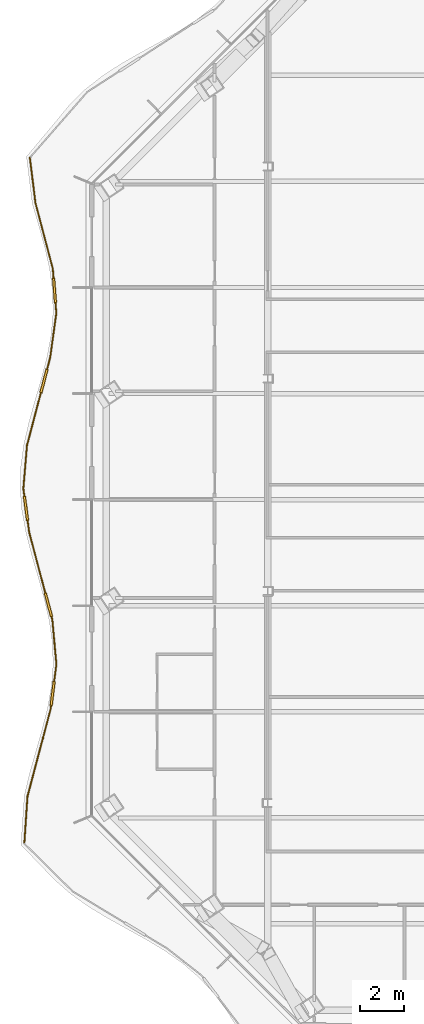
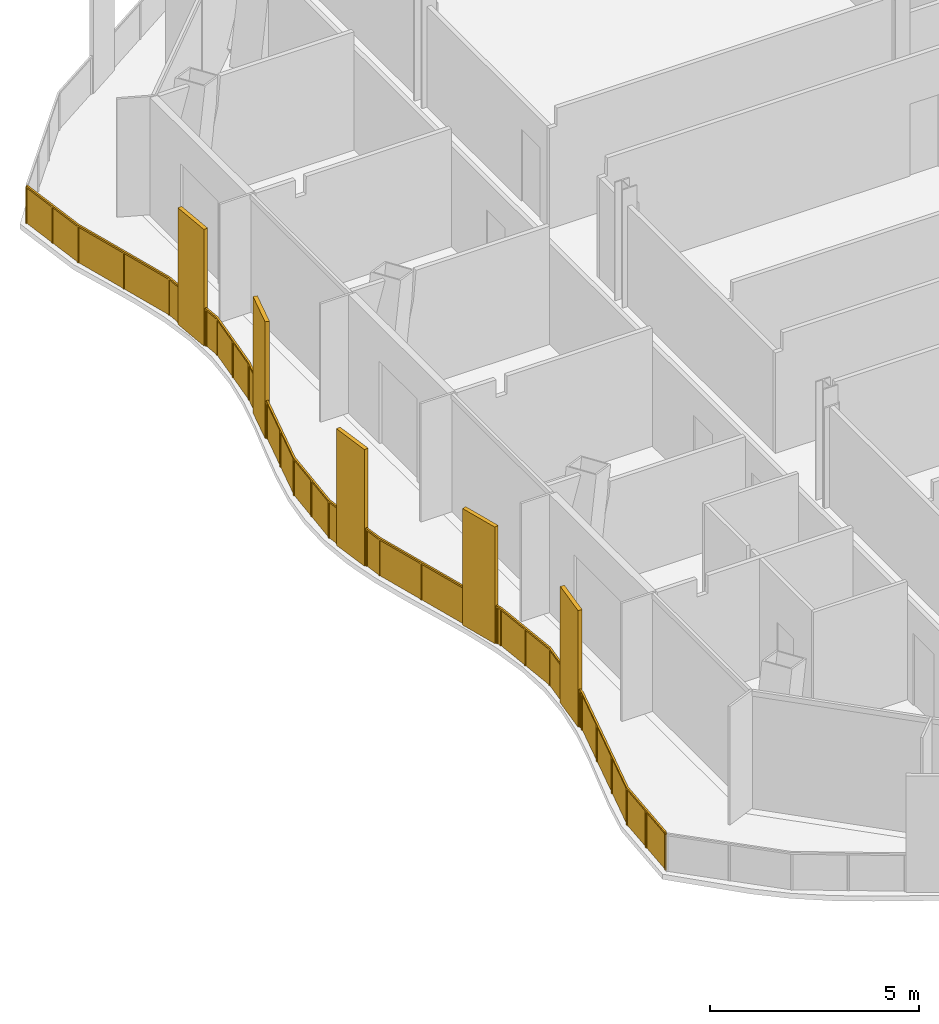
# One storey, part 15 of 21: 1 railing.
"""IFC4 building model written with IfcOpenShell, lengths in metres."""

from ifc_helpers import new_model, si_unit, direction, frame, origin, origin_2d, place, context, subcontext, project, spatial, polyline, rectangle, outline, extrude, material, type_object, element, save


model = new_model("IFC4")

# Units and contexts
model_context = context("Model", 3, precision=1e-05, world=origin(), true_north=direction((0.0, 1.0)))
body_context = subcontext(model_context, "Body", "Model", "MODEL_VIEW")
ifc_project = project(units=[si_unit("LENGTHUNIT", "METRE"), si_unit("AREAUNIT", "SQUARE_METRE"), si_unit("VOLUMEUNIT", "CUBIC_METRE"), si_unit("PLANEANGLEUNIT", "RADIAN"), si_unit("MASSUNIT", "GRAM", prefix="KILO")], contexts=[model_context])

# Site, building, storey
site_placement = place(None, origin())
site = spatial("IfcSite", under=ifc_project, at=site_placement, CompositionType="ELEMENT")
building_placement = place(site_placement, origin())
building = spatial("IfcBuilding", under=site, at=building_placement, Name="Cairn Pilgrim Tower", CompositionType="ELEMENT")
storey_placement = place(building_placement, frame((0.0, 0.0, 108.60009765625)))
storey = spatial("IfcBuildingStorey", under=building, at=storey_placement, Name="L26", CompositionType="ELEMENT", Elevation=108.60009765625)

# Railing
ifc_material = material(Name="Bronze anodised aluminium rail, posts and fin screens with laminated glass infill", Category="aluminium")
railing_type = type_object("IfcRailingType", Name="BALCONY GUARD WITH FIN SCREENS", PredefinedType="GUARDRAIL", material=ifc_material)
railing_placement = place(storey_placement, frame((-25.158935546875, 19.60107421875, 0.0)))
element("IfcRailing", 1, at=railing_placement, inside=storey, type_object=railing_type, Name="Balcony guard BGF-7 with fin screens", PredefinedType="GUARDRAIL", context=body_context, shape_type="SweptSolid", body=[
    extrude(rectangle(XDim=0.050048828125, YDim=0.050048828125, at=origin_2d()), frame((0.0, 0.0, 1.0751953125), z_axis=(0.122220065901, -0.992503025432, 0.0), x_axis=(0.992503025432, 0.122220065901, 0.0)), (0.0, 0.0, 1.0), 2.053466796875),
    extrude(rectangle(XDim=0.050048828125, YDim=0.050048828125, at=origin_2d()), frame((0.2509765625, -2.0380859375, 1.0751953125), z_axis=(0.255252920373, -0.966874317914, 0.0), x_axis=(0.966874317914, 0.255252920373, 0.0)), (0.0, 0.0, 1.0), 3.084716796875),
    extrude(rectangle(XDim=1.10009765625, YDim=0.110107421875, at=origin_2d()), frame((1.11572265625, -6.005615234375, 0.0), z_axis=(0.0, 0.0, 1.0), x_axis=(0.078238304034, -0.996934685815, 0.0)), (0.0, 0.0, 1.0), 3.39990234375),
    extrude(rectangle(XDim=0.050048828125, YDim=0.050048828125, at=origin_2d()), frame((1.038330078125, -5.0205078125, 1.0751953125), z_axis=(0.078238304034, -0.996934685815, 0.0), x_axis=(0.996934685815, 0.078238304034, 0.0)), (0.0, 0.0, 1.0), 0.43798828125),
    extrude(rectangle(XDim=0.050048828125, YDim=0.050048828125, at=origin_2d()), frame((1.15869140625, -6.5537109375, 1.0751953125), z_axis=(0.078238304034, -0.996934685815, 0.0), x_axis=(0.996934685815, 0.078238304034, 0.0)), (0.0, 0.0, 1.0), 0.484130859375),
    extrude(rectangle(XDim=0.050048828125, YDim=0.050048828125, at=origin_2d()), frame((1.196533203125, -7.036376953125, 1.0751953125), z_axis=(-0.137076824228, -0.990560419288, 0.0), x_axis=(0.990560419288, -0.137076824228, 0.0)), (0.0, 0.0, 1.0), 2.030517578125),
    extrude(rectangle(XDim=1.10009765625, YDim=0.110107421875, at=origin_2d()), frame((0.6396484375, -10.1025390625, 0.0), z_axis=(0.0, 0.0, 1.0), x_axis=(-0.255403711426, -0.966834496793, 0.0)), (0.0, 0.0, 1.0), 3.39990234375),
    extrude(rectangle(XDim=0.050048828125, YDim=0.050048828125, at=origin_2d()), frame((0.918212890625, -9.047607421875, 1.0751953125), z_axis=(-0.255403711426, -0.966834496793, 0.0), x_axis=(0.966834496793, -0.255403711426, 0.0)), (0.0, 0.0, 1.0), 0.541015625),
    extrude(rectangle(XDim=0.050048828125, YDim=0.050048828125, at=origin_2d()), frame((0.4990234375, -10.63427734375, 1.0751953125), z_axis=(-0.255403711426, -0.966834496793, 0.0), x_axis=(0.966834496793, -0.255403711426, 0.0)), (0.0, 0.0, 1.0), 2.463623046875),
    extrude(rectangle(XDim=0.050048828125, YDim=0.050048828125, at=origin_2d()), frame((-0.130126953125, -13.01611328125, 1.0751953125), z_axis=(-0.084156484151, -0.99645255089, 0.0), x_axis=(0.99645255089, -0.084156484151, 0.0)), (0.0, 0.0, 1.0), 1.964111328125),
    extrude(rectangle(XDim=1.10009765625, YDim=0.110107421875, at=origin_2d()), frame((-0.17626953125, -15.869140625, 0.0), z_axis=(0.0, 0.0, 1.0), x_axis=(0.131702853889, -0.991289240473, 0.0)), (0.0, 0.0, 1.0), 3.39990234375),
    extrude(rectangle(XDim=0.050048828125, YDim=0.050048828125, at=origin_2d()), frame((-0.29541015625, -14.97314453125, 1.0751953125), z_axis=(0.131702853889, -0.991289240473, 0.0), x_axis=(0.991289240473, 0.131702853889, 0.0)), (0.0, 0.0, 1.0), 0.353759765625),
    extrude(rectangle(XDim=0.050048828125, YDim=0.050048828125, at=origin_2d()), frame((-0.10400390625, -16.414306640625, 1.0751953125), z_axis=(0.131702853889, -0.991289240473, 0.0), x_axis=(0.991289240473, 0.131702853889, 0.0)), (0.0, 0.0, 1.0), 0.524169921875),
    extrude(rectangle(XDim=1.10009765625, YDim=0.110107421875, at=origin_2d()), frame((0.83837890625, -20.232666015625, 0.0), z_axis=(0.0, 0.0, 1.0), x_axis=(0.255936618315, -0.966693564376, 0.0)), (0.0, 0.0, 1.0), 3.39990234375),
    extrude(rectangle(XDim=0.050048828125, YDim=0.050048828125, at=origin_2d()), frame((-0.034912109375, -16.933837890625, 1.0751953125), z_axis=(0.255936618315, -0.966693564376, 0.0), x_axis=(0.966693564376, 0.255936618315, 0.0)), (0.0, 0.0, 1.0), 2.8623046875),
    extrude(rectangle(XDim=0.050048828125, YDim=0.050048828125, at=origin_2d()), frame((0.979248046875, -20.76416015625, 1.0751953125), z_axis=(0.255936618315, -0.966693564376, 0.0), x_axis=(0.966693564376, 0.255936618315, 0.0)), (0.0, 0.0, 1.0), 0.14990234375),
    extrude(rectangle(XDim=0.050048828125, YDim=0.050048828125, at=origin_2d()), frame((1.017578125, -20.9091796875, 1.0751953125), z_axis=(0.090013526175, -0.995940542957, 0.0), x_axis=(0.995940542957, 0.090013526175, 0.0)), (0.0, 0.0, 1.0), 2.0234375),
    extrude(rectangle(XDim=1.10009765625, YDim=0.110107421875, at=origin_2d()), frame((1.03173828125, -24.2421875, 0.0), z_axis=(0.0, 0.0, 1.0), x_axis=(-0.126493302822, -0.991967461332, 0.0)), (0.0, 0.0, 1.0), 3.39990234375),
    extrude(rectangle(XDim=0.050048828125, YDim=0.050048828125, at=origin_2d()), frame((1.19970703125, -22.92431640625, 1.0751953125), z_axis=(-0.126493302822, -0.991967461332, 0.0), x_axis=(0.991967461332, -0.126493302822, 0.0)), (0.0, 0.0, 1.0), 0.778564453125),
    extrude(rectangle(XDim=0.050048828125, YDim=0.050048828125, at=origin_2d()), frame((0.962158203125, -24.787841796875, 1.0751953125), z_axis=(-0.126493302822, -0.991967461332, 0.0), x_axis=(0.991967461332, -0.126493302822, 0.0)), (0.0, 0.0, 1.0), 0.14990234375),
    extrude(rectangle(XDim=0.050048828125, YDim=0.050048828125, at=origin_2d()), frame((0.943115234375, -24.9365234375, 1.0751953125), z_axis=(-0.25619658001, -0.966624700901, 0.0), x_axis=(0.966624700901, -0.25619658001, 0.0)), (0.0, 0.0, 1.0), 4.105224609375),
    extrude(rectangle(XDim=0.050048828125, YDim=0.050048828125, at=origin_2d()), frame((-0.108642578125, -28.90478515625, 1.0751953125), z_axis=(-0.066924228593, -0.997758060668, 0.0), x_axis=(0.997758060668, -0.066924228593, 0.0)), (0.0, 0.0, 1.0), 2.079345703125),
    extrude(rectangle(XDim=0.050048828125, YDim=0.050048828125, at=origin_2d()), origin(), (0.0, 0.0, 1.0), 1.050048828125),
    extrude(rectangle(XDim=0.050048828125, YDim=0.050048828125, at=origin_2d()), frame((0.12548828125, -1.01904296875, 0.0)), (0.0, 0.0, 1.0), 1.050048828125),
    extrude(rectangle(XDim=0.050048828125, YDim=0.050048828125, at=origin_2d()), frame((0.2509765625, -2.0380859375, 0.0)), (0.0, 0.0, 1.0), 1.050048828125),
    extrude(rectangle(XDim=0.050048828125, YDim=0.050048828125, at=origin_2d()), frame((0.64453125, -3.529296875, 0.0)), (0.0, 0.0, 1.0), 1.050048828125),
    extrude(rectangle(XDim=0.050048828125, YDim=0.050048828125, at=origin_2d()), frame((1.038330078125, -5.0205078125, 0.0)), (0.0, 0.0, 1.0), 1.050048828125),
    extrude(rectangle(XDim=0.050048828125, YDim=0.050048828125, at=origin_2d()), frame((1.070556640625, -5.43212890625, 0.0)), (0.0, 0.0, 1.0), 1.050048828125),
    extrude(rectangle(XDim=0.050048828125, YDim=0.050048828125, at=origin_2d()), frame((1.16064453125, -6.578857421875, 0.0)), (0.0, 0.0, 1.0), 1.050048828125),
    extrude(rectangle(XDim=0.050048828125, YDim=0.050048828125, at=origin_2d()), frame((1.196533203125, -7.036376953125, 0.0)), (0.0, 0.0, 1.0), 1.050048828125),
    extrude(rectangle(XDim=0.050048828125, YDim=0.050048828125, at=origin_2d()), frame((1.057373046875, -8.0419921875, 0.0)), (0.0, 0.0, 1.0), 1.050048828125),
    extrude(rectangle(XDim=0.050048828125, YDim=0.050048828125, at=origin_2d()), frame((0.918212890625, -9.047607421875, 0.0)), (0.0, 0.0, 1.0), 1.050048828125),
    extrude(rectangle(XDim=0.050048828125, YDim=0.050048828125, at=origin_2d()), frame((0.786376953125, -9.546630859375, 0.0)), (0.0, 0.0, 1.0), 1.050048828125),
    extrude(rectangle(XDim=0.050048828125, YDim=0.050048828125, at=origin_2d()), frame((0.49267578125, -10.658447265625, 0.0)), (0.0, 0.0, 1.0), 1.050048828125),
    extrude(rectangle(XDim=0.050048828125, YDim=0.050048828125, at=origin_2d()), frame((0.181396484375, -11.837158203125, 0.0)), (0.0, 0.0, 1.0), 1.050048828125),
    extrude(rectangle(XDim=0.050048828125, YDim=0.050048828125, at=origin_2d()), frame((-0.130126953125, -13.01611328125, 0.0)), (0.0, 0.0, 1.0), 1.050048828125),
    extrude(rectangle(XDim=0.050048828125, YDim=0.050048828125, at=origin_2d()), frame((-0.212890625, -13.99462890625, 0.0)), (0.0, 0.0, 1.0), 1.050048828125),
    extrude(rectangle(XDim=0.050048828125, YDim=0.050048828125, at=origin_2d()), frame((-0.29541015625, -14.97314453125, 0.0)), (0.0, 0.0, 1.0), 1.050048828125),
    extrude(rectangle(XDim=0.050048828125, YDim=0.050048828125, at=origin_2d()), frame((-0.252197265625, -15.299072265625, 0.0)), (0.0, 0.0, 1.0), 1.050048828125),
    extrude(rectangle(XDim=0.050048828125, YDim=0.050048828125, at=origin_2d()), frame((-0.1005859375, -16.439208984375, 0.0)), (0.0, 0.0, 1.0), 1.050048828125),
    extrude(rectangle(XDim=0.050048828125, YDim=0.050048828125, at=origin_2d()), frame((-0.034912109375, -16.933837890625, 0.0)), (0.0, 0.0, 1.0), 1.050048828125),
    extrude(rectangle(XDim=0.050048828125, YDim=0.050048828125, at=origin_2d()), frame((0.328125, -18.30517578125, 0.0)), (0.0, 0.0, 1.0), 1.050048828125),
    extrude(rectangle(XDim=0.050048828125, YDim=0.050048828125, at=origin_2d()), frame((0.691162109375, -19.6767578125, 0.0)), (0.0, 0.0, 1.0), 1.050048828125),
    extrude(rectangle(XDim=0.050048828125, YDim=0.050048828125, at=origin_2d()), frame((0.985595703125, -20.788330078125, 0.0)), (0.0, 0.0, 1.0), 1.050048828125),
    extrude(rectangle(XDim=0.050048828125, YDim=0.050048828125, at=origin_2d()), frame((1.017578125, -20.9091796875, 0.0)), (0.0, 0.0, 1.0), 1.050048828125),
    extrude(rectangle(XDim=0.050048828125, YDim=0.050048828125, at=origin_2d()), frame((1.108642578125, -21.916748046875, 0.0)), (0.0, 0.0, 1.0), 1.050048828125),
    extrude(rectangle(XDim=0.050048828125, YDim=0.050048828125, at=origin_2d()), frame((1.19970703125, -22.92431640625, 0.0)), (0.0, 0.0, 1.0), 1.050048828125),
    extrude(rectangle(XDim=0.050048828125, YDim=0.050048828125, at=origin_2d()), frame((1.1044921875, -23.671875, 0.0)), (0.0, 0.0, 1.0), 1.050048828125),
    extrude(rectangle(XDim=0.050048828125, YDim=0.050048828125, at=origin_2d()), frame((0.958984375, -24.8125, 0.0)), (0.0, 0.0, 1.0), 1.050048828125),
    extrude(rectangle(XDim=0.050048828125, YDim=0.050048828125, at=origin_2d()), frame((0.943115234375, -24.9365234375, 0.0)), (0.0, 0.0, 1.0), 1.050048828125),
    extrude(rectangle(XDim=0.050048828125, YDim=0.050048828125, at=origin_2d()), frame((0.592529296875, -26.25927734375, 0.0)), (0.0, 0.0, 1.0), 1.050048828125),
    extrude(rectangle(XDim=0.050048828125, YDim=0.050048828125, at=origin_2d()), frame((0.241943359375, -27.58203125, 0.0)), (0.0, 0.0, 1.0), 1.050048828125),
    extrude(rectangle(XDim=0.050048828125, YDim=0.050048828125, at=origin_2d()), frame((-0.108642578125, -28.90478515625, 0.0)), (0.0, 0.0, 1.0), 1.050048828125),
    extrude(rectangle(XDim=0.050048828125, YDim=0.050048828125, at=origin_2d()), frame((-0.17822265625, -29.942138671875, 0.0)), (0.0, 0.0, 1.0), 1.050048828125),
    extrude(rectangle(XDim=0.050048828125, YDim=0.050048828125, at=origin_2d()), frame((-0.247802734375, -30.9794921875, 0.0)), (0.0, 0.0, 1.0), 1.050048828125),
    extrude(outline(polyline([(0.02490234375, 0.0), (1.001708984375, 0.0), (1.001708984375, 1.050048828125), (0.02490234375, 1.050048828125), (0.02490234375, 0.0)])), frame((0.005859375, 0.000732421875, 0.0), z_axis=(-0.992503025432, -0.122220065901, 0.0), x_axis=(0.122220065901, -0.992503025432, 0.0)), (0.0, 0.0, 1.0), 0.011962890625),
    extrude(outline(polyline([(0.02490234375, 0.0), (1.001708984375, 0.0), (1.001708984375, 1.050048828125), (0.02490234375, 1.050048828125), (0.02490234375, 0.0)])), frame((0.13134765625, -1.018310546875, 0.0), z_axis=(-0.992503025432, -0.122220065901, 0.0), x_axis=(0.122220065901, -0.992503025432, 0.0)), (0.0, 0.0, 1.0), 0.011962890625),
    extrude(outline(polyline([(0.02490234375, 0.0), (1.517333984375, 0.0), (1.517333984375, 1.050048828125), (0.02490234375, 1.050048828125), (0.02490234375, 0.0)])), frame((0.2568359375, -2.03662109375, 0.0), z_axis=(-0.966874317914, -0.255252920373, 0.0), x_axis=(0.255252920373, -0.966874317914, 0.0)), (0.0, 0.0, 1.0), 0.011962890625),
    extrude(outline(polyline([(0.02490234375, 0.0), (1.517333984375, 0.0), (1.517333984375, 1.050048828125), (0.02490234375, 1.050048828125), (0.02490234375, 0.0)])), frame((0.650390625, -3.52783203125, 0.0), z_axis=(-0.966874317914, -0.255252920373, 0.0), x_axis=(0.255252920373, -0.966874317914, 0.0)), (0.0, 0.0, 1.0), 0.011962890625),
    extrude(outline(polyline([(0.02490234375, 0.0), (0.387939453125, 0.0), (0.387939453125, 1.050048828125), (0.02490234375, 1.050048828125), (0.02490234375, 0.0)])), frame((1.044189453125, -5.02001953125, 0.0), z_axis=(-0.996934685815, -0.078238304034, 0.0), x_axis=(0.078238304034, -0.996934685815, 0.0)), (0.0, 0.0, 1.0), 0.011962890625),
    extrude(outline(polyline([(0.02490234375, 0.0), (0.43408203125, 0.0), (0.43408203125, 1.050048828125), (0.02490234375, 1.050048828125), (0.02490234375, 0.0)])), frame((1.16650390625, -6.578369140625, 0.0), z_axis=(-0.996934685815, -0.078238304034, 0.0), x_axis=(0.078238304034, -0.996934685815, 0.0)), (0.0, 0.0, 1.0), 0.011962890625),
    extrude(outline(polyline([(0.02490234375, 0.0), (0.990234375, 0.0), (0.990234375, 1.050048828125), (0.02490234375, 1.050048828125), (0.02490234375, 0.0)])), frame((1.202392578125, -7.037109375, 0.0), z_axis=(-0.990560419288, 0.137076824228, 0.0), x_axis=(-0.137076824228, -0.990560419288, 0.0)), (0.0, 0.0, 1.0), 0.011962890625),
    extrude(outline(polyline([(0.02490234375, 0.0), (0.990234375, 0.0), (0.990234375, 1.050048828125), (0.02490234375, 1.050048828125), (0.02490234375, 0.0)])), frame((1.063232421875, -8.042724609375, 0.0), z_axis=(-0.990560419288, 0.137076824228, 0.0), x_axis=(-0.137076824228, -0.990560419288, 0.0)), (0.0, 0.0, 1.0), 0.011962890625),
    extrude(outline(polyline([(0.02490234375, 0.0), (0.490966796875, 0.0), (0.490966796875, 1.050048828125), (0.02490234375, 1.050048828125), (0.02490234375, 0.0)])), frame((0.924072265625, -9.049072265625, 0.0), z_axis=(-0.966834496793, 0.255403711426, 0.0), x_axis=(-0.255403711426, -0.966834496793, 0.0)), (0.0, 0.0, 1.0), 0.011962890625),
    extrude(outline(polyline([(0.02490234375, 0.0), (1.1943359375, 0.0), (1.1943359375, 1.050048828125), (0.02490234375, 1.050048828125), (0.02490234375, 0.0)])), frame((0.49853515625, -10.659912109375, 0.0), z_axis=(-0.966834496793, 0.255403711426, 0.0), x_axis=(-0.255403711426, -0.966834496793, 0.0)), (0.0, 0.0, 1.0), 0.011962890625),
    extrude(outline(polyline([(0.02490234375, 0.0), (1.1943359375, 0.0), (1.1943359375, 1.050048828125), (0.02490234375, 1.050048828125), (0.02490234375, 0.0)])), frame((0.18701171875, -11.8388671875, 0.0), z_axis=(-0.966834496793, 0.255403711426, 0.0), x_axis=(-0.255403711426, -0.966834496793, 0.0)), (0.0, 0.0, 1.0), 0.011962890625),
    extrude(outline(polyline([(0.02490234375, 0.0), (0.95703125, 0.0), (0.95703125, 1.050048828125), (0.02490234375, 1.050048828125), (0.02490234375, 0.0)])), frame((-0.124267578125, -13.0166015625, 0.0), z_axis=(-0.99645255089, 0.084156484151, 0.0), x_axis=(-0.084156484151, -0.99645255089, 0.0)), (0.0, 0.0, 1.0), 0.011962890625),
    extrude(outline(polyline([(0.02490234375, 0.0), (0.95703125, 0.0), (0.95703125, 1.050048828125), (0.02490234375, 1.050048828125), (0.02490234375, 0.0)])), frame((-0.206787109375, -13.9951171875, 0.0), z_axis=(-0.99645255089, 0.084156484151, 0.0), x_axis=(-0.084156484151, -0.99645255089, 0.0)), (0.0, 0.0, 1.0), 0.011962890625),
    extrude(outline(polyline([(0.02490234375, 0.0), (0.3037109375, 0.0), (0.3037109375, 1.050048828125), (0.02490234375, 1.050048828125), (0.02490234375, 0.0)])), frame((-0.28955078125, -14.972412109375, 0.0), z_axis=(-0.991289240473, -0.131702853889, 0.0), x_axis=(0.131702853889, -0.991289240473, 0.0)), (0.0, 0.0, 1.0), 0.011962890625),
    extrude(outline(polyline([(0.02490234375, 0.0), (0.47412109375, 0.0), (0.47412109375, 1.050048828125), (0.02490234375, 1.050048828125), (0.02490234375, 0.0)])), frame((-0.0947265625, -16.438232421875, 0.0), z_axis=(-0.991289240473, -0.131702853889, 0.0), x_axis=(0.131702853889, -0.991289240473, 0.0)), (0.0, 0.0, 1.0), 0.011962890625),
    extrude(outline(polyline([(0.02490234375, 0.0), (1.3935546875, 0.0), (1.3935546875, 1.050048828125), (0.02490234375, 1.050048828125), (0.02490234375, 0.0)])), frame((-0.029052734375, -16.932373046875, 0.0), z_axis=(-0.966693564376, -0.255936618315, 0.0), x_axis=(0.255936618315, -0.966693564376, 0.0)), (0.0, 0.0, 1.0), 0.011962890625),
    extrude(outline(polyline([(0.02490234375, 0.0), (1.3935546875, 0.0), (1.3935546875, 1.050048828125), (0.02490234375, 1.050048828125), (0.02490234375, 0.0)])), frame((0.333984375, -18.3037109375, 0.0), z_axis=(-0.966693564376, -0.255936618315, 0.0), x_axis=(0.255936618315, -0.966693564376, 0.0)), (0.0, 0.0, 1.0), 0.011962890625),
    extrude(outline(polyline([(0.02490234375, 0.0), (0.099853515625, 0.0), (0.099853515625, 1.050048828125), (0.02490234375, 1.050048828125), (0.02490234375, 0.0)])), frame((0.991455078125, -20.786865234375, 0.0), z_axis=(-0.966693564376, -0.255936618315, 0.0), x_axis=(0.255936618315, -0.966693564376, 0.0)), (0.0, 0.0, 1.0), 0.011962890625),
    extrude(outline(polyline([(0.02490234375, 0.0), (0.986572265625, 0.0), (0.986572265625, 1.050048828125), (0.02490234375, 1.050048828125), (0.02490234375, 0.0)])), frame((1.0234375, -20.90869140625, 0.0), z_axis=(-0.995940542957, -0.090013526175, 0.0), x_axis=(0.090013526175, -0.995940542957, 0.0)), (0.0, 0.0, 1.0), 0.011962890625),
    extrude(outline(polyline([(0.02490234375, 0.0), (0.986572265625, 0.0), (0.986572265625, 1.050048828125), (0.02490234375, 1.050048828125), (0.02490234375, 0.0)])), frame((1.114501953125, -21.916259765625, 0.0), z_axis=(-0.995940542957, -0.090013526175, 0.0), x_axis=(0.090013526175, -0.995940542957, 0.0)), (0.0, 0.0, 1.0), 0.011962890625),
    extrude(outline(polyline([(0.02490234375, 0.0), (0.728515625, 0.0), (0.728515625, 1.050048828125), (0.02490234375, 1.050048828125), (0.02490234375, 0.0)])), frame((1.20556640625, -22.925048828125, 0.0), z_axis=(-0.991967461332, 0.126493302822, 0.0), x_axis=(-0.126493302822, -0.991967461332, 0.0)), (0.0, 0.0, 1.0), 0.011962890625),
    extrude(outline(polyline([(0.02490234375, 0.0), (0.099853515625, 0.0), (0.099853515625, 1.050048828125), (0.02490234375, 1.050048828125), (0.02490234375, 0.0)])), frame((0.96484375, -24.813232421875, 0.0), z_axis=(-0.991967461332, 0.126493302822, 0.0), x_axis=(-0.126493302822, -0.991967461332, 0.0)), (0.0, 0.0, 1.0), 0.011962890625),
    extrude(outline(polyline([(0.02490234375, 0.0), (1.343505859375, 0.0), (1.343505859375, 1.050048828125), (0.02490234375, 1.050048828125), (0.02490234375, 0.0)])), frame((0.948974609375, -24.93798828125, 0.0), z_axis=(-0.966624700901, 0.25619658001, 0.0), x_axis=(-0.25619658001, -0.966624700901, 0.0)), (0.0, 0.0, 1.0), 0.011962890625),
    extrude(outline(polyline([(0.02490234375, 0.0), (1.343505859375, 0.0), (1.343505859375, 1.050048828125), (0.02490234375, 1.050048828125), (0.02490234375, 0.0)])), frame((0.598388671875, -26.2607421875, 0.0), z_axis=(-0.966624700901, 0.25619658001, 0.0), x_axis=(-0.25619658001, -0.966624700901, 0.0)), (0.0, 0.0, 1.0), 0.011962890625),
    extrude(outline(polyline([(0.02490234375, 0.0), (1.343505859375, 0.0), (1.343505859375, 1.050048828125), (0.02490234375, 1.050048828125), (0.02490234375, 0.0)])), frame((0.247802734375, -27.58349609375, 0.0), z_axis=(-0.966624700901, 0.25619658001, 0.0), x_axis=(-0.25619658001, -0.966624700901, 0.0)), (0.0, 0.0, 1.0), 0.011962890625),
    extrude(outline(polyline([(0.02490234375, 0.0), (1.0146484375, 0.0), (1.0146484375, 1.050048828125), (0.02490234375, 1.050048828125), (0.02490234375, 0.0)])), frame((-0.102783203125, -28.9052734375, 0.0), z_axis=(-0.997758060668, 0.066924228593, 0.0), x_axis=(-0.066924228593, -0.997758060668, 0.0)), (0.0, 0.0, 1.0), 0.011962890625),
    extrude(outline(polyline([(0.02490234375, 0.0), (1.0146484375, 0.0), (1.0146484375, 1.050048828125), (0.02490234375, 1.050048828125), (0.02490234375, 0.0)])), frame((-0.17236328125, -29.942626953125, 0.0), z_axis=(-0.997758060668, 0.066924228593, 0.0), x_axis=(-0.066924228593, -0.997758060668, 0.0)), (0.0, 0.0, 1.0), 0.011962890625),
])

save(model, "model.ifc")
